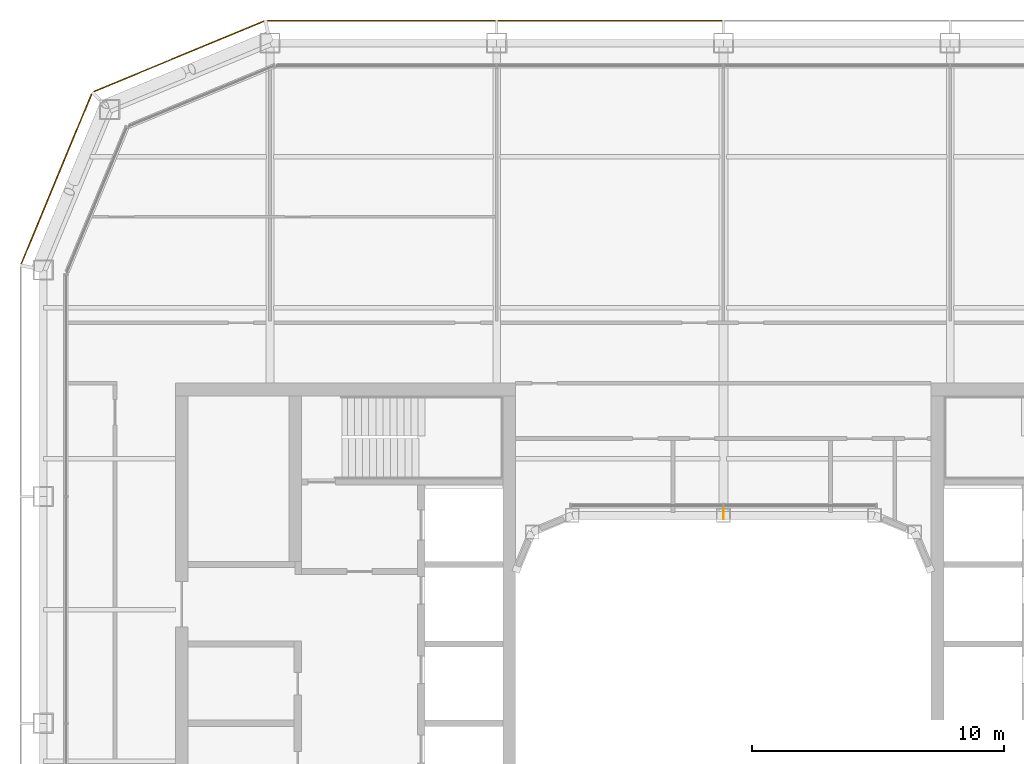
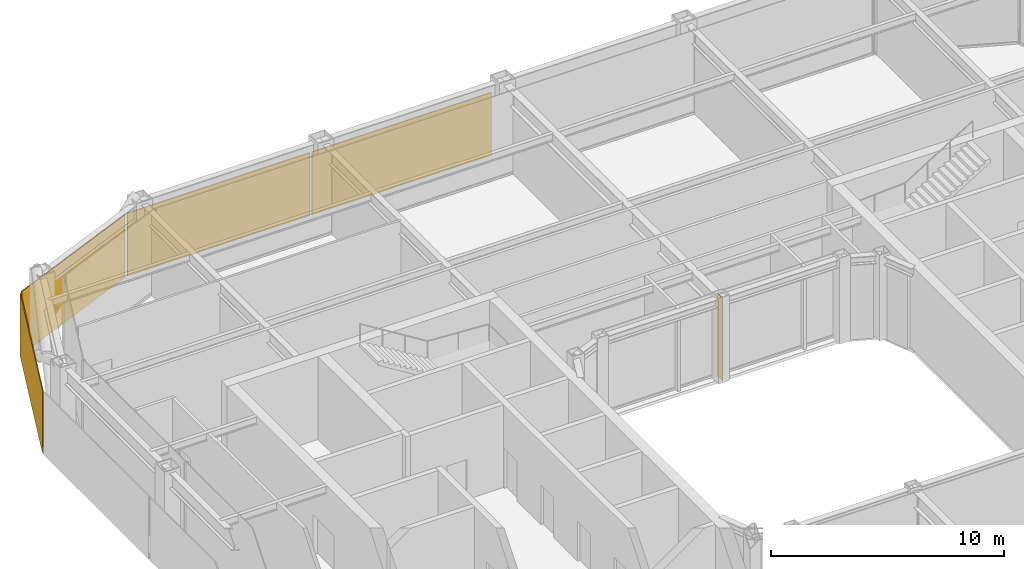
# One storey, part 20 of 22: 4 coverings, 1 shading device.
"""IFC4 building model written with IfcOpenShell, lengths in metres."""

from ifc_helpers import new_model, si_unit, direction, frame, origin, origin_2d, place, context, subcontext, project, spatial, rectangle, extrude, material, layer, layer_set, type_object, element, save


model = new_model("IFC4")

# Units and contexts
model_context = context("Model", 3, precision=1e-05, world=origin(), true_north=direction((0.0, 1.0)))
body_context = subcontext(model_context, "Body", "Model", "MODEL_VIEW")
ifc_project = project(units=[si_unit("LENGTHUNIT", "METRE"), si_unit("AREAUNIT", "SQUARE_METRE"), si_unit("VOLUMEUNIT", "CUBIC_METRE"), si_unit("PLANEANGLEUNIT", "RADIAN"), si_unit("MASSUNIT", "GRAM", prefix="KILO")], contexts=[model_context])

# Site, building, storey
site_placement = place(None, origin())
site = spatial("IfcSite", under=ifc_project, at=site_placement, CompositionType="ELEMENT")
building_placement = place(site_placement, origin())
building = spatial("IfcBuilding", under=site, at=building_placement, Name="Siwar Civic Tower", CompositionType="ELEMENT")
storey_placement = place(building_placement, frame((0.0, 0.0, 255.699951171875)))
storey = spatial("IfcBuildingStorey", under=building, at=storey_placement, Name="L55", CompositionType="ELEMENT", Elevation=255.699951171875)

# Shading device
ifc_material_1 = material(Name="Aluminium 6063-T6", Category="aluminium")
ifc_layer_1 = layer(ifc_material_1, 0.02001953125)
ifc_layer_set_1 = layer_set([ifc_layer_1], Name="Aluminium 6063-T6")
shading_device_type = type_object("IfcShadingDeviceType", Name="ENV-FIN", PredefinedType="JALOUSIE", material=ifc_layer_set_1)
shading_device_placement = place(storey_placement, frame((0.0, 8.320068359375, 0.0), z_axis=(0.0, 0.0, 1.0), x_axis=(-1.0, 0.0, 0.0)))
element("IfcShadingDevice", 1, at=shading_device_placement, inside=storey, type_object=shading_device_type, Name="SUNSHADE fin WN 1", PredefinedType="JALOUSIE", context=body_context, shape_type="SweptSolid", body=[
    extrude(rectangle(XDim=0.02001953125, YDim=0.449951171875, at=origin_2d()), origin(), (0.0, 0.0, 1.0), 4.35009765625),
])

# Coverings
ifc_material_2 = material(Name="Perforated aluminium cassette, pale metal", Category="aluminium")
ifc_layer_2 = layer(ifc_material_2, 0.0400390625)
ifc_layer_set_2 = layer_set([ifc_layer_2], Name="Perforated aluminium cassette, pale metal")
covering_type_1 = type_object("IfcCoveringType", Name="ENV-OUTER SKIN OS-1", PredefinedType="CLADDING", material=ifc_layer_set_2)
covering_1_placement = place(storey_placement, frame((-4.5, 27.89990234375, -0.14990234375), z_axis=(0.0, 0.0, 1.0), x_axis=(-1.0, 0.0, 0.0)))
element("IfcCovering", 2, at=covering_1_placement, inside=storey, type_object=covering_type_1, Name="OUTER SKIN OS-1 N 3", PredefinedType="CLADDING", context=body_context, shape_type="SweptSolid", body=[
    extrude(rectangle(XDim=8.89990234375, YDim=0.0400390625, at=origin_2d()), origin(), (0.0, 0.0, 1.0), 3.300048828125),
])
covering_2_placement = place(storey_placement, frame((-13.57958984375, 27.89990234375, -0.14990234375), z_axis=(0.0, 0.0, 1.0), x_axis=(-1.0, 0.0, 0.0)))
element("IfcCovering", 3, at=covering_2_placement, inside=storey, type_object=covering_type_1, Name="OUTER SKIN OS-1 N 4", PredefinedType="CLADDING", context=body_context, shape_type="SweptSolid", body=[
    extrude(rectangle(XDim=9.05908203125, YDim=0.0400390625, at=origin_2d()), origin(), (0.0, 0.0, 1.0), 3.300048828125),
])
covering_3_placement = place(storey_placement, frame((-21.615966796875, 26.476318359375, -0.14990234375), z_axis=(0.0, 0.0, 1.0), x_axis=(-0.923879532511, -0.382683432365, 0.0)))
element("IfcCovering", 4, at=covering_3_placement, inside=storey, type_object=covering_type_1, Name="OUTER SKIN OS-1 NW1 1", PredefinedType="CLADDING", context=body_context, shape_type="SweptSolid", body=[
    extrude(rectangle(XDim=7.300048828125, YDim=0.0400390625, at=origin_2d()), origin(), (0.0, 0.0, 1.0), 3.300048828125),
])
ifc_material_3 = material(Name="Perforated aluminium cassette, pale metal", Category="aluminium")
ifc_layer_3 = layer(ifc_material_3, 0.044921875)
ifc_layer_set_3 = layer_set([ifc_layer_3], Name="Perforated aluminium cassette, pale metal")
covering_type_2 = type_object("IfcCoveringType", Name="ENV-OUTER SKIN OS-2", PredefinedType="CLADDING", material=ifc_layer_set_3)
covering_4_placement = place(storey_placement, frame((-26.476318359375, 21.615966796875, -0.14990234375), z_axis=(0.0, 0.0, 1.0), x_axis=(-0.382683432365, -0.923879532511, 0.0)))
element("IfcCovering", 5, at=covering_4_placement, inside=storey, type_object=covering_type_2, Name="OUTER SKIN OS-2 NW2 1", PredefinedType="CLADDING", context=body_context, shape_type="SweptSolid", body=[
    extrude(rectangle(XDim=7.300048828125, YDim=0.044921875, at=origin_2d()), origin(), (0.0, 0.0, 1.0), 3.300048828125),
])

save(model, "model.ifc")
